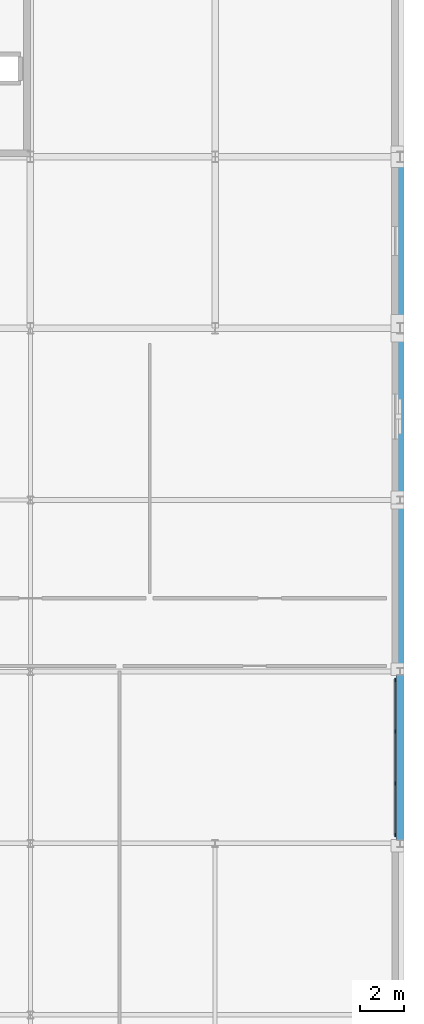
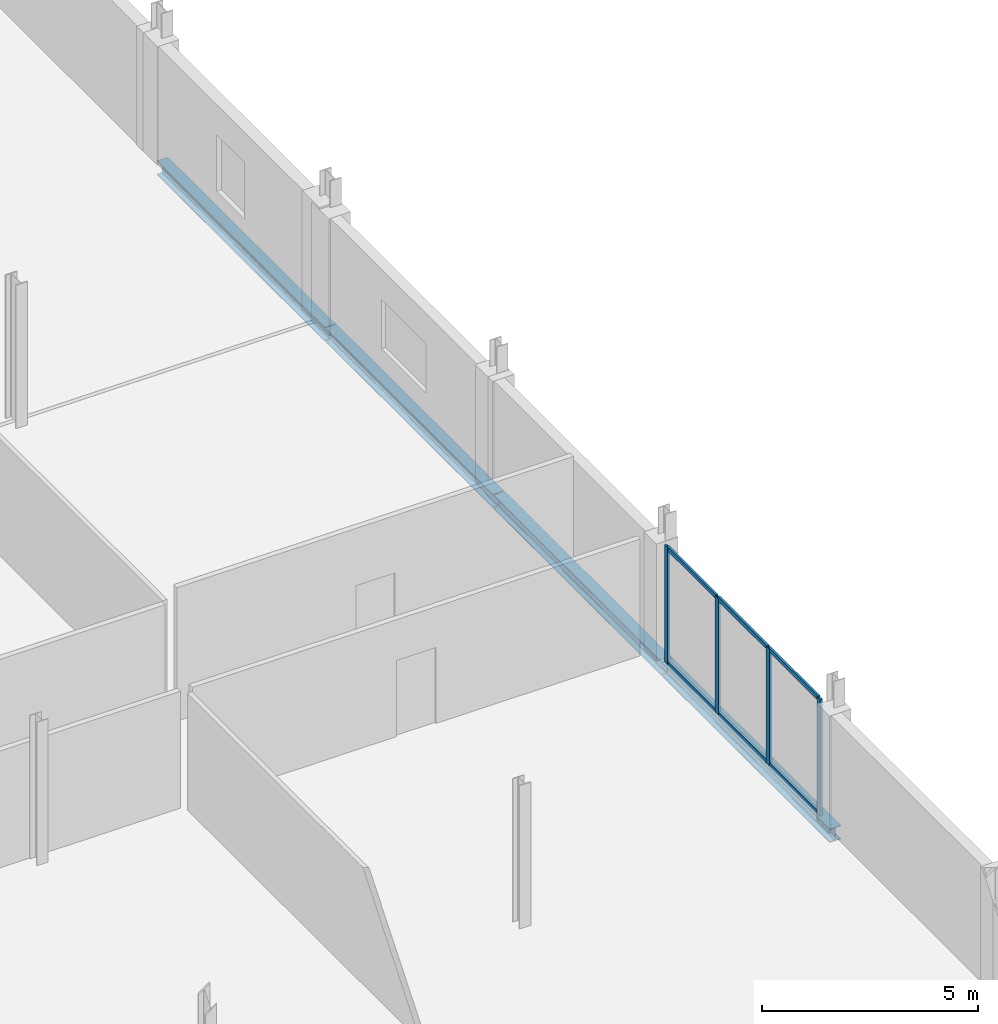
# One storey, part 41 of 77: 10 members, 4 beams, 1 element without a shape of its own.
"""IFC4 building model written with IfcOpenShell, lengths in metres."""

from ifc_helpers import new_model, si_unit, direction, frame, origin, origin_2d, place, context, subcontext, project, spatial, rectangle, i_section, extrude, material, material_profile, profile_set, type_object, element, aggregate, save


model = new_model("IFC4")

# Units and contexts
model_context = context("Model", 3, precision=1e-05, world=origin(), true_north=direction((0.0, 1.0)))
body_context = subcontext(model_context, "Body", "Model", "MODEL_VIEW")
ifc_project = project(units=[si_unit("LENGTHUNIT", "METRE"), si_unit("AREAUNIT", "SQUARE_METRE"), si_unit("VOLUMEUNIT", "CUBIC_METRE"), si_unit("PLANEANGLEUNIT", "RADIAN"), si_unit("MASSUNIT", "GRAM", prefix="KILO")], contexts=[model_context])

# Site, building, storey
site_placement = place(None, origin())
site = spatial("IfcSite", under=ifc_project, at=site_placement, CompositionType="ELEMENT")
building_placement = place(site_placement, origin())
building = spatial("IfcBuilding", under=site, at=building_placement, Name="Nabrawat Pavilion Hospital", CompositionType="ELEMENT")
storey_placement = place(building_placement, frame((0.0, 0.0, 14.85009765625)))
storey = spatial("IfcBuildingStorey", under=building, at=storey_placement, Name="L03", CompositionType="ELEMENT", Elevation=14.85009765625)

# Curtain wall, members
ifc_material_1 = material(Name="Anodised Aluminium", Category="aluminium")
curtain_wall_type = type_object("IfcCurtainWallType", Name="Outpatient Boulevard Curtain Wall", PredefinedType="USERDEFINED", material=ifc_material_1)
curtain_wall_placement = place(storey_placement, origin())
curtain_wall = element("IfcCurtainWall", 1, at=curtain_wall_placement, inside=storey, type_object=curtain_wall_type, Name="L03 Outpatient Boulevard Curtain Wall 145", ObjectType="CURTAIN WALL", PredefinedType="USERDEFINED")
ifc_material_profile_1 = material_profile(ifc_material_1, rectangle(XDim=0.06005859375, YDim=0.159912109375, at=origin_2d()), Name="CWM 60x160")
ifc_profile_set_1 = profile_set([ifc_material_profile_1], Name="Anodised Aluminium")
member_type_1 = type_object("IfcMemberType", Name="Outpatient Boulevard Curtain Wall Mullion CWM 60x160", PredefinedType="MULLION", material=ifc_profile_set_1)
member_1_placement = place(storey_placement, frame((192.97998046875, 15.969970703125, 0.0), z_axis=(0.0, 0.0, 1.0), x_axis=(-1.0, 0.0, 0.0)))
member_1 = element("IfcMember", 2, at=member_1_placement, type_object=member_type_1, Name="CW-OPC-01 mullion 1", PredefinedType="MULLION", context=body_context, shape_type="SweptSolid", body=[
    extrude(rectangle(XDim=0.06005859375, YDim=0.159912109375, at=origin_2d()), origin(), (0.0, 0.0, 1.0), 3.2998046875),
])
member_2_placement = place(storey_placement, frame((192.97998046875, 18.313232421875, 0.0), z_axis=(0.0, 0.0, 1.0), x_axis=(-1.0, 0.0, 0.0)))
member_2 = element("IfcMember", 3, at=member_2_placement, type_object=member_type_1, Name="CW-OPC-01 mullion 2", PredefinedType="MULLION", context=body_context, shape_type="SweptSolid", body=[
    extrude(rectangle(XDim=0.06005859375, YDim=0.159912109375, at=origin_2d()), origin(), (0.0, 0.0, 1.0), 3.2998046875),
])
member_3_placement = place(storey_placement, frame((192.97998046875, 20.686767578125, 0.0), z_axis=(0.0, 0.0, 1.0), x_axis=(-1.0, 0.0, 0.0)))
member_3 = element("IfcMember", 4, at=member_3_placement, type_object=member_type_1, Name="CW-OPC-01 mullion 3", PredefinedType="MULLION", context=body_context, shape_type="SweptSolid", body=[
    extrude(rectangle(XDim=0.06005859375, YDim=0.159912109375, at=origin_2d()), origin(), (0.0, 0.0, 1.0), 3.2998046875),
])
member_4_placement = place(storey_placement, frame((192.97998046875, 23.030029296875, 0.0), z_axis=(0.0, 0.0, 1.0), x_axis=(-1.0, 0.0, 0.0)))
member_4 = element("IfcMember", 5, at=member_4_placement, type_object=member_type_1, Name="CW-OPC-01 mullion 4", PredefinedType="MULLION", context=body_context, shape_type="SweptSolid", body=[
    extrude(rectangle(XDim=0.06005859375, YDim=0.159912109375, at=origin_2d()), origin(), (0.0, 0.0, 1.0), 3.2998046875),
])
ifc_material_profile_2 = material_profile(ifc_material_1, rectangle(XDim=0.06005859375, YDim=0.1201171875, at=origin_2d()), Name="CWT 60x120")
ifc_profile_set_2 = profile_set([ifc_material_profile_2], Name="Anodised Aluminium")
member_type_2 = type_object("IfcMemberType", Name="Outpatient Boulevard Curtain Wall Transom CWT 60x120", PredefinedType="USERDEFINED", material=ifc_profile_set_2)
member_5_placement = place(storey_placement, frame((192.97998046875, 16.0, 0.02978515625), z_axis=(0.0, 1.0, 0.0), x_axis=(-1.0, 0.0, 0.0)))
member_5 = element("IfcMember", 6, at=member_5_placement, type_object=member_type_2, Name="CW-OPC-01 transom 1.1", ObjectType="TRANSOM", PredefinedType="USERDEFINED", context=body_context, shape_type="SweptSolid", body=[
    extrude(rectangle(XDim=0.06005859375, YDim=0.1201171875, at=origin_2d()), origin(), (0.0, 0.0, 1.0), 2.283447265625),
])
member_6_placement = place(storey_placement, frame((192.97998046875, 16.0, 3.27001953125), z_axis=(0.0, 1.0, 0.0), x_axis=(-1.0, 0.0, 0.0)))
member_6 = element("IfcMember", 7, at=member_6_placement, type_object=member_type_2, Name="CW-OPC-01 transom 1.2", ObjectType="TRANSOM", PredefinedType="USERDEFINED", context=body_context, shape_type="SweptSolid", body=[
    extrude(rectangle(XDim=0.06005859375, YDim=0.1201171875, at=origin_2d()), origin(), (0.0, 0.0, 1.0), 2.283447265625),
])
member_7_placement = place(storey_placement, frame((192.97998046875, 18.34326171875, 0.02978515625), z_axis=(0.0, 1.0, 0.0), x_axis=(-1.0, 0.0, 0.0)))
member_7 = element("IfcMember", 8, at=member_7_placement, type_object=member_type_2, Name="CW-OPC-01 transom 2.1", ObjectType="TRANSOM", PredefinedType="USERDEFINED", context=body_context, shape_type="SweptSolid", body=[
    extrude(rectangle(XDim=0.06005859375, YDim=0.1201171875, at=origin_2d()), origin(), (0.0, 0.0, 1.0), 2.3134765625),
])
member_8_placement = place(storey_placement, frame((192.97998046875, 18.34326171875, 3.27001953125), z_axis=(0.0, 1.0, 0.0), x_axis=(-1.0, 0.0, 0.0)))
member_8 = element("IfcMember", 9, at=member_8_placement, type_object=member_type_2, Name="CW-OPC-01 transom 2.2", ObjectType="TRANSOM", PredefinedType="USERDEFINED", context=body_context, shape_type="SweptSolid", body=[
    extrude(rectangle(XDim=0.06005859375, YDim=0.1201171875, at=origin_2d()), origin(), (0.0, 0.0, 1.0), 2.3134765625),
])
member_9_placement = place(storey_placement, frame((192.97998046875, 20.716552734375, 0.02978515625), z_axis=(0.0, 1.0, 0.0), x_axis=(-1.0, 0.0, 0.0)))
member_9 = element("IfcMember", 10, at=member_9_placement, type_object=member_type_2, Name="CW-OPC-01 transom 3.1", ObjectType="TRANSOM", PredefinedType="USERDEFINED", context=body_context, shape_type="SweptSolid", body=[
    extrude(rectangle(XDim=0.06005859375, YDim=0.1201171875, at=origin_2d()), origin(), (0.0, 0.0, 1.0), 2.283447265625),
])
member_10_placement = place(storey_placement, frame((192.97998046875, 20.716552734375, 3.27001953125), z_axis=(0.0, 1.0, 0.0), x_axis=(-1.0, 0.0, 0.0)))
member_10 = element("IfcMember", 11, at=member_10_placement, type_object=member_type_2, Name="CW-OPC-01 transom 3.2", ObjectType="TRANSOM", PredefinedType="USERDEFINED", context=body_context, shape_type="SweptSolid", body=[
    extrude(rectangle(XDim=0.06005859375, YDim=0.1201171875, at=origin_2d()), origin(), (0.0, 0.0, 1.0), 2.283447265625),
])
aggregate(curtain_wall, [member_1, member_2, member_3, member_4, member_5, member_6, member_7, member_8, member_9, member_10])

# Beams
ifc_material_2 = material(Name="Steel S355", Category="steel")
ifc_material_profile_3 = material_profile(ifc_material_2, i_section(OverallWidth=0.300048828125, OverallDepth=0.389892578125, WebThickness=0.010986328125, FlangeThickness=0.01904296875, FilletRadius=0.027099609375, at=origin_2d()), Name="HEA 400")
ifc_profile_set_3 = profile_set([ifc_material_profile_3], Name="Steel S355")
beam_type = type_object("IfcBeamType", Name="Perimeter Moment Spandrel Beam HEA 400", PredefinedType="SPANDREL", material=ifc_profile_set_3)
beam_placement = place(storey_placement, frame((193.199951171875, 15.6201171875, -0.425048828125), z_axis=(0.0, 1.0, 0.0), x_axis=(-1.0, 0.0, 0.0)))
element("IfcBeam", 12, at=beam_placement, inside=storey, type_object=beam_type, Name="L03 Primary Y Beam 1739", PredefinedType="SPANDREL", context=body_context, shape_type="SweptSolid", body=[
    extrude(i_section(OverallWidth=0.300048828125, OverallDepth=0.389892578125, WebThickness=0.010986328125, FlangeThickness=0.01904296875, FilletRadius=0.027099609375, at=origin_2d()), origin(), (0.0, 0.0, 1.0), 7.759765625),
])
for number, where, z_axis, x_axis, name in (
    (13, (193.199951171875, 23.419921875, -0.425048828125), (0.0, 1.0, 0.0), (-1.0, 0.0, 0.0), "L03 Primary Y Beam 1740"),
    (14, (193.199951171875, 31.219970703125, -0.425048828125), (0.0, 1.0, 0.0), (-1.0, 0.0, 0.0), "L03 Primary Y Beam 1741"),
    (15, (193.199951171875, 39.02001953125, -0.43505859375), (0.0, 1.0, 0.0), (-1.0, 0.0, 0.0), "L03 Primary Y Beam 1742"),
):
    element("IfcBeam", number, at=place(storey_placement, frame(where, z_axis=z_axis, x_axis=x_axis)), inside=storey, type_object=beam_type, Name=name, PredefinedType="SPANDREL", context=body_context, shape_type="SweptSolid", body=[
        extrude(i_section(OverallWidth=0.300048828125, OverallDepth=0.389892578125, WebThickness=0.010986328125, FlangeThickness=0.01904296875, FilletRadius=0.027099609375, at=origin_2d()), origin(), (0.0, 0.0, 1.0), 7.760009765625),
    ])

save(model, "model.ifc")
